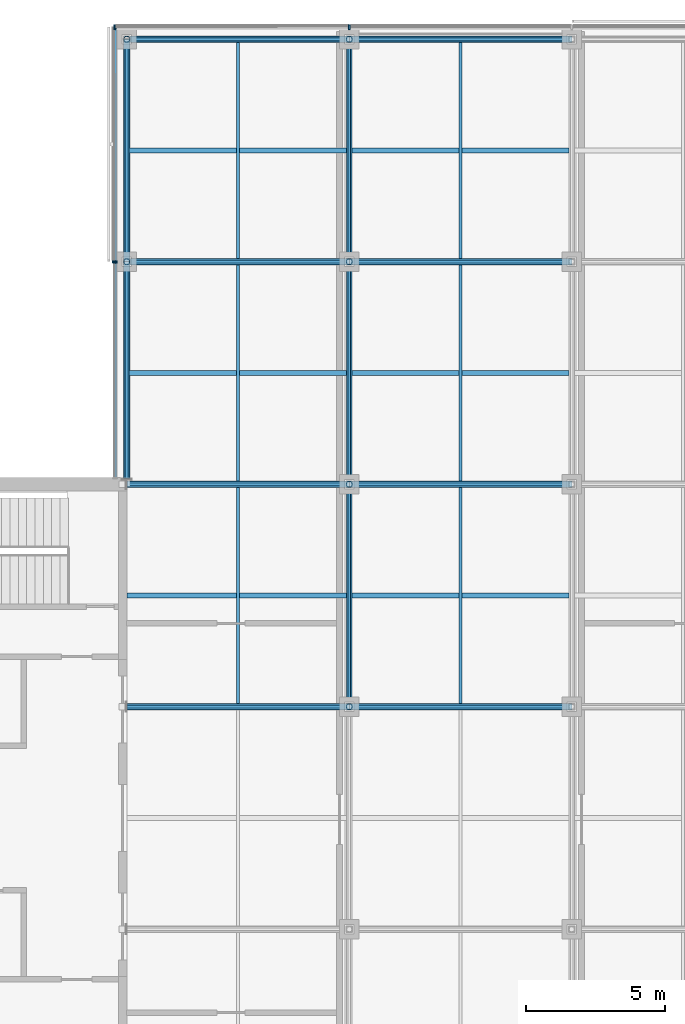
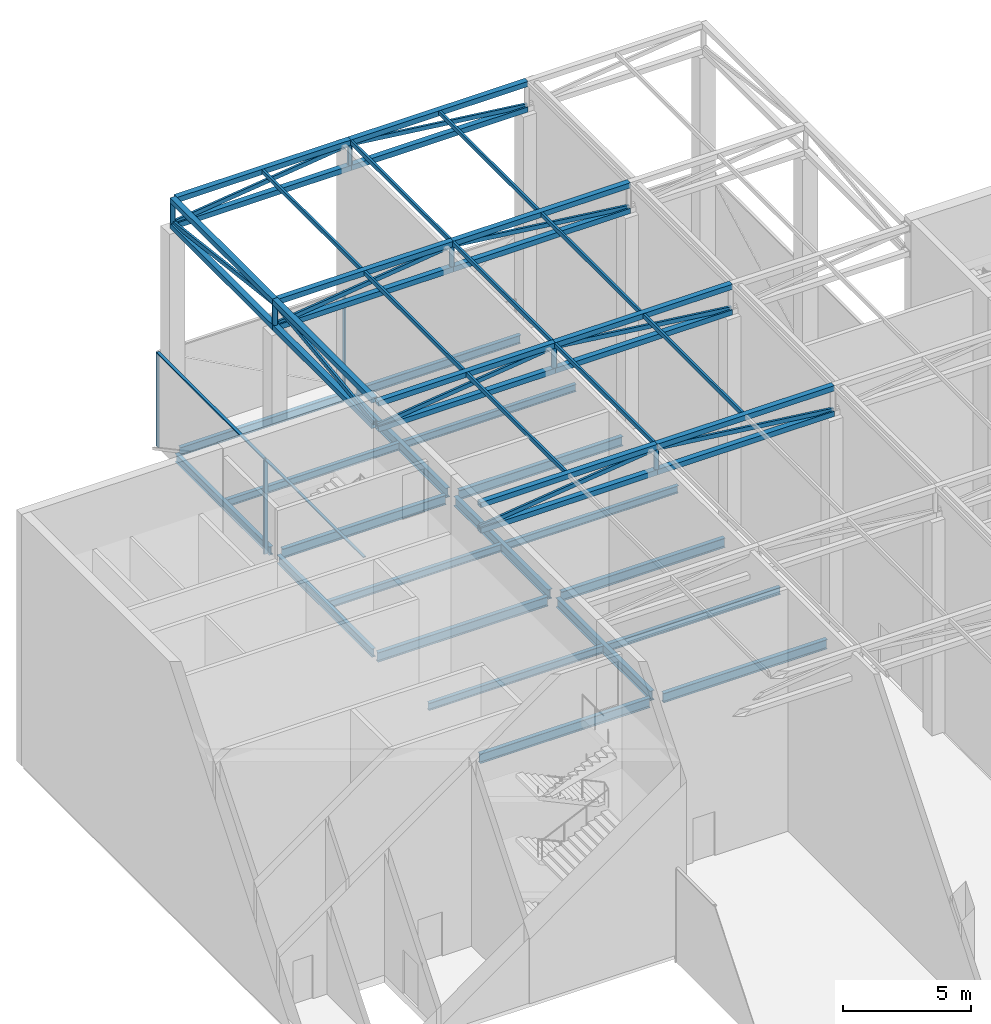
# One storey, part 7 of 23: 51 members, 19 beams, 3 elements without a shape of their own.
"""IFC4 building model written with IfcOpenShell, lengths in metres."""

from ifc_helpers import new_model, si_unit, direction, frame, origin, origin_2d, place, context, subcontext, project, spatial, rectangle, hollow_rectangle, hollow_circle, i_section, extrude, material, material_profile, profile_set, type_object, element, aggregate, save


model = new_model("IFC4")

# Units and contexts
model_context = context("Model", 3, precision=1e-05, world=origin(), true_north=direction((0.0, 1.0)))
body_context = subcontext(model_context, "Body", "Model", "MODEL_VIEW")
ifc_project = project(units=[si_unit("LENGTHUNIT", "METRE"), si_unit("AREAUNIT", "SQUARE_METRE"), si_unit("VOLUMEUNIT", "CUBIC_METRE"), si_unit("PLANEANGLEUNIT", "RADIAN"), si_unit("MASSUNIT", "GRAM", prefix="KILO")], contexts=[model_context])

# Site, building, storey
site_placement = place(None, origin())
site = spatial("IfcSite", under=ifc_project, at=site_placement, CompositionType="ELEMENT")
building_placement = place(site_placement, origin())
building = spatial("IfcBuilding", under=site, at=building_placement, Name="Crosswind Convention Tower", CompositionType="ELEMENT")
storey_placement = place(building_placement, frame((0.0, 0.0, 349.10009765625)))
storey = spatial("IfcBuildingStorey", under=building, at=storey_placement, Name="L76", CompositionType="ELEMENT", Elevation=349.10009765625)

# Beams
ifc_material_1 = material(Name="Steel S355", Category="steel")
ifc_material_profile_1 = material_profile(ifc_material_1, i_section(OverallWidth=0.177490234375, OverallDepth=0.402587890625, WebThickness=0.007568359375, FlangeThickness=0.010986328125, FilletRadius=0.01025390625, at=origin_2d()), Name="UB 406x178x54")
ifc_profile_set_1 = profile_set([ifc_material_profile_1], Name="Steel S355")
beam_type_1 = type_object("IfcBeamType", Name="Edge beam UB 406x178x54", PredefinedType="SPANDREL", material=ifc_profile_set_1)
beam_1_placement = place(storey_placement, frame((113.0, 112.25, -0.551513671875), z_axis=(0.0, 1.0, 0.0), x_axis=(-1.0, 0.0, 0.0)))
element("IfcBeam", 1, at=beam_1_placement, inside=storey, type_object=beam_type_1, Name="B14 L76 edge beam 3", PredefinedType="SPANDREL", context=body_context, shape_type="SweptSolid", body=[
    extrude(i_section(OverallWidth=0.177490234375, OverallDepth=0.402587890625, WebThickness=0.007568359375, FlangeThickness=0.010986328125, FilletRadius=0.01025390625, at=origin_2d()), origin(), (0.0, 0.0, 1.0), 7.449951171875),
])
for number, where, z_axis, x_axis, name in (
    (2, (113.0, 120.300048828125, -0.551513671875), (0.0, 1.0, 0.0), (-1.0, 0.0, 0.0), "B14 L76 edge beam 4"),
    (3, (113.300048828125, 128.0, -0.551513671875), (1.0, 0.0, 0.0), (0.0, 1.0, 0.0), "B14 L76 edge beam 6"),
    (4, (121.300048828125, 128.0, -0.551513671875), (1.0, 0.0, 0.0), (0.0, 1.0, 0.0), "B14 L76 edge beam 8"),
):
    element("IfcBeam", number, at=place(storey_placement, frame(where, z_axis=z_axis, x_axis=x_axis)), inside=storey, type_object=beam_type_1, Name=name, PredefinedType="SPANDREL", context=body_context, shape_type="SweptSolid", body=[
        extrude(i_section(OverallWidth=0.177490234375, OverallDepth=0.402587890625, WebThickness=0.007568359375, FlangeThickness=0.010986328125, FilletRadius=0.01025390625, at=origin_2d()), origin(), (0.0, 0.0, 1.0), 7.39990234375),
    ])
ifc_material_profile_2 = material_profile(ifc_material_1, i_section(OverallWidth=0.18994140625, OverallDepth=0.45361328125, WebThickness=0.008544921875, FlangeThickness=0.0126953125, FilletRadius=0.01025390625, at=origin_2d()), Name="UB 457x191x67")
ifc_profile_set_2 = profile_set([ifc_material_profile_2], Name="Steel S355")
beam_type_2 = type_object("IfcBeamType", Name="Girder UB 457x191x67", PredefinedType="BEAM", material=ifc_profile_set_2)
for number, where, z_axis, x_axis, name in (
    (5, (113.300048828125, 120.0, -0.576904296875), (1.0, 0.0, 0.0), (0.0, 1.0, 0.0), "B1 L76 girder 2"),
    (6, (121.0, 104.300048828125, -0.576904296875), (0.0, 1.0, 0.0), (-1.0, 0.0, 0.0), "B1 L76 girder 7"),
    (7, (121.0, 112.300048828125, -0.576904296875), (0.0, 1.0, 0.0), (-1.0, 0.0, 0.0), "B1 L76 girder 8"),
    (8, (121.0, 120.300048828125, -0.576904296875), (0.0, 1.0, 0.0), (-1.0, 0.0, 0.0), "B1 L76 girder 9"),
    (9, (121.300048828125, 104.0, -0.576904296875), (1.0, 0.0, 0.0), (0.0, 1.0, 0.0), "B1 L76 girder 13"),
    (10, (121.300048828125, 112.0, -0.576904296875), (1.0, 0.0, 0.0), (0.0, 1.0, 0.0), "B1 L76 girder 14"),
    (11, (121.300048828125, 120.0, -0.576904296875), (1.0, 0.0, 0.0), (0.0, 1.0, 0.0), "B1 L76 girder 15"),
):
    element("IfcBeam", number, at=place(storey_placement, frame(where, z_axis=z_axis, x_axis=x_axis)), inside=storey, type_object=beam_type_2, Name=name, PredefinedType="BEAM", context=body_context, shape_type="SweptSolid", body=[
        extrude(i_section(OverallWidth=0.18994140625, OverallDepth=0.45361328125, WebThickness=0.008544921875, FlangeThickness=0.0126953125, FilletRadius=0.01025390625, at=origin_2d()), origin(), (0.0, 0.0, 1.0), 7.39990234375),
    ])
ifc_material_profile_3 = material_profile(ifc_material_1, i_section(OverallWidth=0.18994140625, OverallDepth=0.45361328125, WebThickness=0.008544921875, FlangeThickness=0.0126953125, FilletRadius=0.01025390625, at=origin_2d()), Name="UB 457x191x67")
ifc_profile_set_3 = profile_set([ifc_material_profile_3], Name="Steel S355")
beam_type_3 = type_object("IfcBeamType", Name="Girder at core wall UB 457x191x67", PredefinedType="BEAM", material=ifc_profile_set_3)
for number, where, z_axis, x_axis, name in (
    (12, (113.0, 104.0, -0.576904296875), (1.0, 0.0, 0.0), (0.0, 1.0, 0.0), "B21 L76 girder at core wall 3"),
    (13, (113.0, 112.0, -0.576904296875), (1.0, 0.0, 0.0), (0.0, 1.0, 0.0), "B21 L76 girder at core wall 4"),
):
    element("IfcBeam", number, at=place(storey_placement, frame(where, z_axis=z_axis, x_axis=x_axis)), inside=storey, type_object=beam_type_3, Name=name, PredefinedType="BEAM", context=body_context, shape_type="SweptSolid", body=[
        extrude(i_section(OverallWidth=0.18994140625, OverallDepth=0.45361328125, WebThickness=0.008544921875, FlangeThickness=0.0126953125, FilletRadius=0.01025390625, at=origin_2d()), origin(), (0.0, 0.0, 1.0), 7.699951171875),
    ])

# Curtain wall, member
ifc_material_2 = material(Name="Aluminium unitised curtain wall", Category="aluminium")
curtain_wall_type_1 = type_object("IfcCurtainWallType", Name="CORE END SLOT WALL 160", PredefinedType="USERDEFINED", material=ifc_material_2)
curtain_wall_1_placement = place(storey_placement, origin())
curtain_wall_1 = element("IfcCurtainWall", 14, at=curtain_wall_1_placement, inside=storey, type_object=curtain_wall_type_1, Name="CW6 L76 N-W.1-2 slot", ObjectType="UNITISED", PredefinedType="USERDEFINED")
ifc_material_3 = material(Name="Aluminium mullion", Category="aluminium")
ifc_material_profile_4 = material_profile(ifc_material_3, rectangle(XDim=0.159912109375, YDim=0.050048828125, at=origin_2d()), Name="AL 160X50")
ifc_profile_set_4 = profile_set([ifc_material_profile_4], Name="Aluminium mullion")
member_type_1 = type_object("IfcMemberType", Name="MULLION 50X160", PredefinedType="MULLION", material=ifc_profile_set_4)
member_1_placement = place(storey_placement, frame((112.570068359375, 119.97509765625, -0.35009765625), z_axis=(0.0, 0.0, 1.0), x_axis=(-1.0, 0.0, 0.0)))
member_1 = element("IfcMember", 15, at=member_1_placement, type_object=member_type_1, Name="CW6 mullion 1", PredefinedType="MULLION", context=body_context, shape_type="SweptSolid", body=[
    extrude(rectangle(XDim=0.159912109375, YDim=0.050048828125, at=origin_2d()), origin(), (0.0, 0.0, 1.0), 4.5),
])

# Curtain wall, members
curtain_wall_type_2 = type_object("IfcCurtainWallType", Name="CROWN WINDBREAK WALL 180", PredefinedType="USERDEFINED", material=ifc_material_2)
curtain_wall_2_placement = place(storey_placement, origin())
curtain_wall_2 = element("IfcCurtainWall", 16, at=curtain_wall_2_placement, inside=storey, type_object=curtain_wall_type_2, Name="CW5 L76 N-TIP 1", ObjectType="UNITISED", PredefinedType="USERDEFINED")
ifc_material_profile_5 = material_profile(ifc_material_3, rectangle(XDim=0.179931640625, YDim=0.06005859375, at=origin_2d()), Name="AL 180X60")
ifc_profile_set_5 = profile_set([ifc_material_profile_5], Name="Aluminium mullion")
member_type_2 = type_object("IfcMemberType", Name="MULLION 60X180", PredefinedType="MULLION", material=ifc_profile_set_5)
member_2_placement = place(storey_placement, frame((121.0, 128.43994140625, -0.35009765625), z_axis=(0.0, 0.0, 1.0), x_axis=(0.0, 1.0, 0.0)))
member_2 = element("IfcMember", 17, at=member_2_placement, type_object=member_type_2, Name="CW5 mullion 3", PredefinedType="MULLION", context=body_context, shape_type="SweptSolid", body=[
    extrude(rectangle(XDim=0.179931640625, YDim=0.06005859375, at=origin_2d()), origin(), (0.0, 0.0, 1.0), 4.489990234375),
])
member_3_placement = place(storey_placement, frame((112.56005859375, 128.43994140625, -0.35009765625), z_axis=(0.0, 0.0, 1.0), x_axis=(0.0, 1.0, 0.0)))
member_3 = element("IfcMember", 18, at=member_3_placement, type_object=member_type_2, Name="CW5 mullion 4", PredefinedType="MULLION", context=body_context, shape_type="SweptSolid", body=[
    extrude(rectangle(XDim=0.179931640625, YDim=0.06005859375, at=origin_2d()), origin(), (0.0, 0.0, 1.0), 4.489990234375),
])
aggregate(curtain_wall_2, [member_2, member_3])

# Curtain wall, member
curtain_wall_3_placement = place(storey_placement, origin())
curtain_wall_3 = element("IfcCurtainWall", 19, at=curtain_wall_3_placement, inside=storey, type_object=curtain_wall_type_2, Name="CW5 L76 N-W 1", ObjectType="UNITISED", PredefinedType="USERDEFINED")
member_4_placement = place(storey_placement, frame((112.56005859375, 120.0, -0.35009765625), z_axis=(0.0, 0.0, 1.0), x_axis=(-1.0, 0.0, 0.0)))
member_4 = element("IfcMember", 20, at=member_4_placement, type_object=member_type_2, Name="CW5 mullion 2", PredefinedType="MULLION", context=body_context, shape_type="SweptSolid", body=[
    extrude(rectangle(XDim=0.179931640625, YDim=0.06005859375, at=origin_2d()), origin(), (0.0, 0.0, 1.0), 4.489990234375),
])

# Members
ifc_material_profile_6 = material_profile(ifc_material_1, hollow_rectangle(XDim=0.10009765625, YDim=0.199951171875, WallThickness=0.010009765625, at=origin_2d()), Name="RHS 200x100x10.0")
ifc_profile_set_6 = profile_set([ifc_material_profile_6], Name="Steel S355")
member_type_3 = type_object("IfcMemberType", Name="Roof purlin RHS 200x100x10.0", PredefinedType="PURLIN", material=ifc_profile_set_6)
for number, where, z_axis, x_axis, name in (
    (21, (117.0, 104.125, 11.599853515625), (0.0, 1.0, 0.0), (-1.0, 0.0, 0.0), "M14 L76 roof purlin 21"),
    (22, (121.0, 104.125, 11.599853515625), (0.0, 1.0, 0.0), (-1.0, 0.0, 0.0), "M14 L76 roof purlin 22"),
    (23, (125.0, 104.125, 11.599853515625), (0.0, 1.0, 0.0), (-1.0, 0.0, 0.0), "M14 L76 roof purlin 23"),
    (24, (117.0, 112.125, 11.599853515625), (0.0, 1.0, 0.0), (-1.0, 0.0, 0.0), "M14 L76 roof purlin 26"),
    (25, (121.0, 112.125, 11.599853515625), (0.0, 1.0, 0.0), (-1.0, 0.0, 0.0), "M14 L76 roof purlin 27"),
    (26, (125.0, 112.125, 11.599853515625), (0.0, 1.0, 0.0), (-1.0, 0.0, 0.0), "M14 L76 roof purlin 28"),
    (27, (117.0, 120.125, 11.599853515625), (0.0, 1.0, 0.0), (-1.0, 0.0, 0.0), "M14 L76 roof purlin 31"),
    (28, (121.0, 120.125, 11.599853515625), (0.0, 1.0, 0.0), (-1.0, 0.0, 0.0), "M14 L76 roof purlin 32"),
    (29, (125.0, 120.125, 11.599853515625), (0.0, 1.0, 0.0), (-1.0, 0.0, 0.0), "M14 L76 roof purlin 33"),
):
    element("IfcMember", number, at=place(storey_placement, frame(where, z_axis=z_axis, x_axis=x_axis)), inside=storey, type_object=member_type_3, Name=name, PredefinedType="PURLIN", context=body_context, shape_type="SweptSolid", body=[
        extrude(hollow_rectangle(XDim=0.10009765625, YDim=0.199951171875, WallThickness=0.010009765625, at=origin_2d()), origin(), (0.0, 0.0, 1.0), 7.75),
    ])
ifc_material_profile_7 = material_profile(ifc_material_1, hollow_rectangle(XDim=0.25, YDim=0.25, WallThickness=0.010009765625, at=origin_2d()), Name="SHS 250x250x10.0")
ifc_profile_set_7 = profile_set([ifc_material_profile_7], Name="Steel S355")
member_type_4 = type_object("IfcMemberType", Name="Roof truss chord SHS 250x250x10.0", PredefinedType="CHORD", material=ifc_profile_set_7)
for number, where, z_axis, x_axis, name in (
    (30, (113.0, 104.0, 10.35498046875), (1.0, 0.0, 0.0), (0.0, 1.0, 0.0), "M11 L76 roof truss 5 bottom chord 1"),
    (31, (113.0, 104.0, 11.574951171875), (1.0, 0.0, 0.0), (0.0, 1.0, 0.0), "M11 L76 roof truss 5 top chord 1"),
    (32, (121.0, 104.0, 10.35498046875), (1.0, 0.0, 0.0), (0.0, 1.0, 0.0), "M11 L76 roof truss 5 bottom chord 2"),
    (33, (121.0, 104.0, 11.574951171875), (1.0, 0.0, 0.0), (0.0, 1.0, 0.0), "M11 L76 roof truss 5 top chord 2"),
    (34, (113.0, 112.0, 10.35498046875), (1.0, 0.0, 0.0), (0.0, 1.0, 0.0), "M11 L76 roof truss 6 bottom chord 1"),
    (35, (113.0, 112.0, 11.574951171875), (1.0, 0.0, 0.0), (0.0, 1.0, 0.0), "M11 L76 roof truss 6 top chord 1"),
    (36, (121.0, 112.0, 10.35498046875), (1.0, 0.0, 0.0), (0.0, 1.0, 0.0), "M11 L76 roof truss 6 bottom chord 2"),
    (37, (121.0, 112.0, 11.574951171875), (1.0, 0.0, 0.0), (0.0, 1.0, 0.0), "M11 L76 roof truss 6 top chord 2"),
):
    element("IfcMember", number, at=place(storey_placement, frame(where, z_axis=z_axis, x_axis=x_axis)), inside=storey, type_object=member_type_4, Name=name, PredefinedType="CHORD", context=body_context, shape_type="SweptSolid", body=[
        extrude(hollow_rectangle(XDim=0.25, YDim=0.25, WallThickness=0.010009765625, at=origin_2d()), origin(), (0.0, 0.0, 1.0), 8.0),
    ])
for number, where, z_axis, x_axis, name in (
    (38, (113.125, 120.0, 10.35498046875), (1.0, 0.0, 0.0), (0.0, 1.0, 0.0), "M11 L76 roof truss 7 bottom chord 1"),
    (39, (113.125, 120.0, 11.574951171875), (1.0, 0.0, 0.0), (0.0, 1.0, 0.0), "M11 L76 roof truss 7 top chord 1"),
):
    element("IfcMember", number, at=place(storey_placement, frame(where, z_axis=z_axis, x_axis=x_axis)), inside=storey, type_object=member_type_4, Name=name, PredefinedType="CHORD", context=body_context, shape_type="SweptSolid", body=[
        extrude(hollow_rectangle(XDim=0.25, YDim=0.25, WallThickness=0.010009765625, at=origin_2d()), origin(), (0.0, 0.0, 1.0), 7.875),
    ])
for number, where, z_axis, x_axis, name in (
    (40, (121.0, 120.0, 10.35498046875), (1.0, 0.0, 0.0), (0.0, 1.0, 0.0), "M11 L76 roof truss 7 bottom chord 2"),
    (41, (121.0, 120.0, 11.574951171875), (1.0, 0.0, 0.0), (0.0, 1.0, 0.0), "M11 L76 roof truss 7 top chord 2"),
):
    element("IfcMember", number, at=place(storey_placement, frame(where, z_axis=z_axis, x_axis=x_axis)), inside=storey, type_object=member_type_4, Name=name, PredefinedType="CHORD", context=body_context, shape_type="SweptSolid", body=[
        extrude(hollow_rectangle(XDim=0.25, YDim=0.25, WallThickness=0.010009765625, at=origin_2d()), origin(), (0.0, 0.0, 1.0), 8.0),
    ])
for number, where, z_axis, x_axis, name in (
    (42, (113.125, 128.0, 10.35498046875), (1.0, 0.0, 0.0), (0.0, 1.0, 0.0), "M11 L76 roof truss 8 bottom chord 1"),
    (43, (113.125, 128.0, 11.574951171875), (1.0, 0.0, 0.0), (0.0, 1.0, 0.0), "M11 L76 roof truss 8 top chord 1"),
):
    element("IfcMember", number, at=place(storey_placement, frame(where, z_axis=z_axis, x_axis=x_axis)), inside=storey, type_object=member_type_4, Name=name, PredefinedType="CHORD", context=body_context, shape_type="SweptSolid", body=[
        extrude(hollow_rectangle(XDim=0.25, YDim=0.25, WallThickness=0.010009765625, at=origin_2d()), origin(), (0.0, 0.0, 1.0), 7.875),
    ])
for number, where, z_axis, x_axis, name in (
    (44, (121.0, 128.0, 10.35498046875), (1.0, 0.0, 0.0), (0.0, 1.0, 0.0), "M11 L76 roof truss 8 bottom chord 2"),
    (45, (121.0, 128.0, 11.574951171875), (1.0, 0.0, 0.0), (0.0, 1.0, 0.0), "M11 L76 roof truss 8 top chord 2"),
):
    element("IfcMember", number, at=place(storey_placement, frame(where, z_axis=z_axis, x_axis=x_axis)), inside=storey, type_object=member_type_4, Name=name, PredefinedType="CHORD", context=body_context, shape_type="SweptSolid", body=[
        extrude(hollow_rectangle(XDim=0.25, YDim=0.25, WallThickness=0.010009765625, at=origin_2d()), origin(), (0.0, 0.0, 1.0), 8.0),
    ])
for number, where, z_axis, x_axis, name in (
    (46, (113.0, 112.199951171875, 10.35498046875), (0.0, 1.0, 0.0), (-1.0, 0.0, 0.0), "M11 L76 roof truss 9 bottom chord 1"),
    (47, (113.0, 112.199951171875, 11.574951171875), (0.0, 1.0, 0.0), (-1.0, 0.0, 0.0), "M11 L76 roof truss 9 top chord 1"),
):
    element("IfcMember", number, at=place(storey_placement, frame(where, z_axis=z_axis, x_axis=x_axis)), inside=storey, type_object=member_type_4, Name=name, PredefinedType="CHORD", context=body_context, shape_type="SweptSolid", body=[
        extrude(hollow_rectangle(XDim=0.25, YDim=0.25, WallThickness=0.010009765625, at=origin_2d()), origin(), (0.0, 0.0, 1.0), 7.800048828125),
    ])
for number, where, z_axis, x_axis, name in (
    (48, (113.0, 120.0, 10.35498046875), (0.0, 1.0, 0.0), (-1.0, 0.0, 0.0), "M11 L76 roof truss 9 bottom chord 2"),
    (49, (113.0, 120.0, 11.574951171875), (0.0, 1.0, 0.0), (-1.0, 0.0, 0.0), "M11 L76 roof truss 9 top chord 2"),
):
    element("IfcMember", number, at=place(storey_placement, frame(where, z_axis=z_axis, x_axis=x_axis)), inside=storey, type_object=member_type_4, Name=name, PredefinedType="CHORD", context=body_context, shape_type="SweptSolid", body=[
        extrude(hollow_rectangle(XDim=0.25, YDim=0.25, WallThickness=0.010009765625, at=origin_2d()), origin(), (0.0, 0.0, 1.0), 8.0),
    ])
ifc_material_profile_8 = material_profile(ifc_material_1, hollow_rectangle(XDim=0.10009765625, YDim=0.199951171875, WallThickness=0.010009765625, at=origin_2d()), Name="RHS 200x100x10.0")
ifc_profile_set_8 = profile_set([ifc_material_profile_8], Name="Steel S355")
member_type_5 = type_object("IfcMemberType", Name="Roof truss diagonal RHS 200x100x10.0", PredefinedType="BRACE", material=ifc_profile_set_8)
for number, where, z_axis, x_axis, name in (
    (50, (113.0, 104.0, 10.47998046875), (0.992729723764, 0.0, 0.120364843522), (0.0, 1.0, 0.0), "M12 L76 roof truss 5 diagonal 1"),
    (51, (121.0, 104.0, 11.449951171875), (0.992729723764, 0.0, -0.120364843522), (0.0, 1.0, 0.0), "M12 L76 roof truss 5 diagonal 2"),
    (52, (113.0, 112.0, 10.47998046875), (0.992729723764, 0.0, 0.120364843522), (0.0, 1.0, 0.0), "M12 L76 roof truss 6 diagonal 1"),
    (53, (121.0, 112.0, 11.449951171875), (0.992729723764, 0.0, -0.120364843522), (0.0, 1.0, 0.0), "M12 L76 roof truss 6 diagonal 2"),
):
    element("IfcMember", number, at=place(storey_placement, frame(where, z_axis=z_axis, x_axis=x_axis)), inside=storey, type_object=member_type_5, Name=name, PredefinedType="BRACE", context=body_context, shape_type="SweptSolid", body=[
        extrude(hollow_rectangle(XDim=0.10009765625, YDim=0.199951171875, WallThickness=0.010009765625, at=origin_2d()), origin(), (0.0, 0.0, 1.0), 8.05859375),
    ])
member_5_placement = place(storey_placement, frame((113.125, 120.0, 10.47998046875), z_axis=(0.992499700374, 0.0, 0.122247064409), x_axis=(0.0, 1.0, 0.0)))
element("IfcMember", 54, at=member_5_placement, inside=storey, type_object=member_type_5, Name="M12 L76 roof truss 7 diagonal 1", PredefinedType="BRACE", context=body_context, shape_type="SweptSolid", body=[
    extrude(hollow_rectangle(XDim=0.10009765625, YDim=0.199951171875, WallThickness=0.010009765625, at=origin_2d()), origin(), (0.0, 0.0, 1.0), 7.9345703125),
])
member_6_placement = place(storey_placement, frame((121.0, 120.0, 11.449951171875), z_axis=(0.992729723764, 0.0, -0.120364843522), x_axis=(0.0, 1.0, 0.0)))
element("IfcMember", 55, at=member_6_placement, inside=storey, type_object=member_type_5, Name="M12 L76 roof truss 7 diagonal 2", PredefinedType="BRACE", context=body_context, shape_type="SweptSolid", body=[
    extrude(hollow_rectangle(XDim=0.10009765625, YDim=0.199951171875, WallThickness=0.010009765625, at=origin_2d()), origin(), (0.0, 0.0, 1.0), 8.05859375),
])
member_7_placement = place(storey_placement, frame((113.125, 128.0, 10.47998046875), z_axis=(0.992499700374, 0.0, 0.122247064409), x_axis=(0.0, 1.0, 0.0)))
element("IfcMember", 56, at=member_7_placement, inside=storey, type_object=member_type_5, Name="M12 L76 roof truss 8 diagonal 1", PredefinedType="BRACE", context=body_context, shape_type="SweptSolid", body=[
    extrude(hollow_rectangle(XDim=0.10009765625, YDim=0.199951171875, WallThickness=0.010009765625, at=origin_2d()), origin(), (0.0, 0.0, 1.0), 7.9345703125),
])
member_8_placement = place(storey_placement, frame((121.0, 128.0, 11.449951171875), z_axis=(0.992729723764, 0.0, -0.120364843522), x_axis=(0.0, 1.0, 0.0)))
element("IfcMember", 57, at=member_8_placement, inside=storey, type_object=member_type_5, Name="M12 L76 roof truss 8 diagonal 2", PredefinedType="BRACE", context=body_context, shape_type="SweptSolid", body=[
    extrude(hollow_rectangle(XDim=0.10009765625, YDim=0.199951171875, WallThickness=0.010009765625, at=origin_2d()), origin(), (0.0, 0.0, 1.0), 8.05859375),
])
member_9_placement = place(storey_placement, frame((113.0, 112.199951171875, 10.47998046875), z_axis=(0.0, 0.992356522481, 0.123403939523), x_axis=(-1.0, 0.0, 0.0)))
element("IfcMember", 58, at=member_9_placement, inside=storey, type_object=member_type_5, Name="M12 L76 roof truss 9 diagonal 1", PredefinedType="BRACE", context=body_context, shape_type="SweptSolid", body=[
    extrude(hollow_rectangle(XDim=0.10009765625, YDim=0.199951171875, WallThickness=0.010009765625, at=origin_2d()), origin(), (0.0, 0.0, 1.0), 7.860107421875),
])
member_10_placement = place(storey_placement, frame((113.0, 120.0, 11.449951171875), z_axis=(0.0, 0.992729723764, -0.120364843522), x_axis=(-1.0, 0.0, 0.0)))
element("IfcMember", 59, at=member_10_placement, inside=storey, type_object=member_type_5, Name="M12 L76 roof truss 9 diagonal 2", PredefinedType="BRACE", context=body_context, shape_type="SweptSolid", body=[
    extrude(hollow_rectangle(XDim=0.10009765625, YDim=0.199951171875, WallThickness=0.010009765625, at=origin_2d()), origin(), (0.0, 0.0, 1.0), 8.05859375),
])
ifc_material_profile_9 = material_profile(ifc_material_1, hollow_circle(Radius=0.109619140625, WallThickness=0.010009765625, at=origin_2d()), Name="CHS 219.1x10.0")
ifc_profile_set_9 = profile_set([ifc_material_profile_9], Name="Steel S355")
member_type_6 = type_object("IfcMemberType", Name="Roof truss post CHS 219.1x10.0", PredefinedType="POST", material=ifc_profile_set_9)
for number, where, z_axis, x_axis, name in (
    (60, (121.0, 104.0, 10.47998046875), (0.0, 0.0, 1.0), (1.0, 0.0, 0.0), "M13 L76 roof truss 5 post 1"),
    (61, (121.0, 112.0, 10.47998046875), (0.0, 0.0, 1.0), (1.0, 0.0, 0.0), "M13 L76 roof truss 6 post 1"),
    (62, (121.0, 120.0, 10.47998046875), (0.0, 0.0, 1.0), (1.0, 0.0, 0.0), "M13 L76 roof truss 7 post 1"),
    (63, (121.0, 128.0, 10.47998046875), (0.0, 0.0, 1.0), (1.0, 0.0, 0.0), "M13 L76 roof truss 8 post 1"),
    (64, (113.0, 128.0, 10.47998046875), (0.0, 0.0, 1.0), (1.0, 0.0, 0.0), "M13 L76 roof truss 9 corner post"),
    (65, (113.0, 120.0, 10.47998046875), (0.0, 0.0, 1.0), (1.0, 0.0, 0.0), "M13 L76 roof truss 9 post 1"),
):
    element("IfcMember", number, at=place(storey_placement, frame(where, z_axis=z_axis, x_axis=x_axis)), inside=storey, type_object=member_type_6, Name=name, PredefinedType="POST", context=body_context, shape_type="SweptSolid", body=[
        extrude(hollow_circle(Radius=0.109619140625, WallThickness=0.010009765625, at=origin_2d()), origin(), (0.0, 0.0, 1.0), 0.969970703125),
    ])

# Beams
ifc_material_profile_10 = material_profile(ifc_material_1, i_section(OverallWidth=0.1708984375, OverallDepth=0.35205078125, WebThickness=0.0068359375, FlangeThickness=0.009765625, FilletRadius=0.01025390625, at=origin_2d()), Name="UB 356x171x45")
ifc_profile_set_10 = profile_set([ifc_material_profile_10], Name="Steel S355")
beam_type_4 = type_object("IfcBeamType", Name="Secondary beam UB 356x171x45", PredefinedType="JOIST", material=ifc_profile_set_10)
beam_2_placement = place(storey_placement, frame((113.0, 108.0, -0.526123046875), z_axis=(1.0, 0.0, 0.0), x_axis=(0.0, 1.0, 0.0)))
element("IfcBeam", 66, at=beam_2_placement, inside=storey, type_object=beam_type_4, Name="B7 L76 secondary beam 3", PredefinedType="JOIST", context=body_context, shape_type="SweptSolid", body=[
    extrude(i_section(OverallWidth=0.1708984375, OverallDepth=0.35205078125, WebThickness=0.0068359375, FlangeThickness=0.009765625, FilletRadius=0.01025390625, at=origin_2d()), origin(), (0.0, 0.0, 1.0), 7.905029296875),
])
for number, where, z_axis, x_axis, name in (
    (67, (113.0888671875, 116.0, -0.526123046875), (1.0, 0.0, 0.0), (0.0, 1.0, 0.0), "B7 L76 secondary beam 6"),
    (68, (113.0888671875, 124.0, -0.526123046875), (1.0, 0.0, 0.0), (0.0, 1.0, 0.0), "B7 L76 secondary beam 7"),
):
    element("IfcBeam", number, at=place(storey_placement, frame(where, z_axis=z_axis, x_axis=x_axis)), inside=storey, type_object=beam_type_4, Name=name, PredefinedType="JOIST", context=body_context, shape_type="SweptSolid", body=[
        extrude(i_section(OverallWidth=0.1708984375, OverallDepth=0.35205078125, WebThickness=0.0068359375, FlangeThickness=0.009765625, FilletRadius=0.01025390625, at=origin_2d()), origin(), (0.0, 0.0, 1.0), 7.816162109375),
    ])
for number, where, z_axis, x_axis, name in (
    (69, (121.094970703125, 108.0, -0.526123046875), (1.0, 0.0, 0.0), (0.0, 1.0, 0.0), "B7 L76 secondary beam 12"),
    (70, (121.094970703125, 116.0, -0.526123046875), (1.0, 0.0, 0.0), (0.0, 1.0, 0.0), "B7 L76 secondary beam 13"),
    (71, (121.094970703125, 124.0, -0.526123046875), (1.0, 0.0, 0.0), (0.0, 1.0, 0.0), "B7 L76 secondary beam 14"),
):
    element("IfcBeam", number, at=place(storey_placement, frame(where, z_axis=z_axis, x_axis=x_axis)), inside=storey, type_object=beam_type_4, Name=name, PredefinedType="JOIST", context=body_context, shape_type="SweptSolid", body=[
        extrude(i_section(OverallWidth=0.1708984375, OverallDepth=0.35205078125, WebThickness=0.0068359375, FlangeThickness=0.009765625, FilletRadius=0.01025390625, at=origin_2d()), origin(), (0.0, 0.0, 1.0), 7.81005859375),
    ])

# Member
ifc_material_4 = material(Name="Aluminium transom", Category="aluminium")
ifc_material_profile_11 = material_profile(ifc_material_4, rectangle(XDim=0.1201171875, YDim=0.050048828125, at=origin_2d()), Name="AL 120X50")
ifc_profile_set_11 = profile_set([ifc_material_profile_11], Name="Aluminium transom")
member_type_7 = type_object("IfcMemberType", Name="TRANSOM 50X120", PredefinedType="USERDEFINED", material=ifc_profile_set_11)
member_11_placement = place(storey_placement, frame((112.570068359375, 119.949951171875, 4.1748046875), z_axis=(0.0, -1.0, 0.0), x_axis=(1.0, 0.0, 0.0)))
member_11 = element("IfcMember", 72, at=member_11_placement, type_object=member_type_7, Name="CW6 transom", ObjectType="TRANSOM", PredefinedType="USERDEFINED", context=body_context, shape_type="SweptSolid", body=[
    extrude(rectangle(XDim=0.1201171875, YDim=0.050048828125, at=origin_2d()), origin(), (0.0, 0.0, 1.0), 7.699951171875),
])

aggregate(curtain_wall_1, [member_1, member_11])

ifc_material_profile_12 = material_profile(ifc_material_4, rectangle(XDim=0.1298828125, YDim=0.06005859375, at=origin_2d()), Name="AL 130X60")
ifc_profile_set_12 = profile_set([ifc_material_profile_12], Name="Aluminium transom")
member_type_8 = type_object("IfcMemberType", Name="TRANSOM 60X130", PredefinedType="USERDEFINED", material=ifc_profile_set_12)
member_12_placement = place(storey_placement, frame((112.56005859375, 128.409912109375, 4.169921875), z_axis=(0.0, -1.0, 0.0), x_axis=(1.0, 0.0, 0.0)))
member_12 = element("IfcMember", 73, at=member_12_placement, type_object=member_type_8, Name="CW5 transom", ObjectType="TRANSOM", PredefinedType="USERDEFINED", context=body_context, shape_type="SweptSolid", body=[
    extrude(rectangle(XDim=0.1298828125, YDim=0.06005859375, at=origin_2d()), origin(), (0.0, 0.0, 1.0), 8.3798828125),
])

aggregate(curtain_wall_3, [member_4, member_12])

save(model, "model.ifc")
